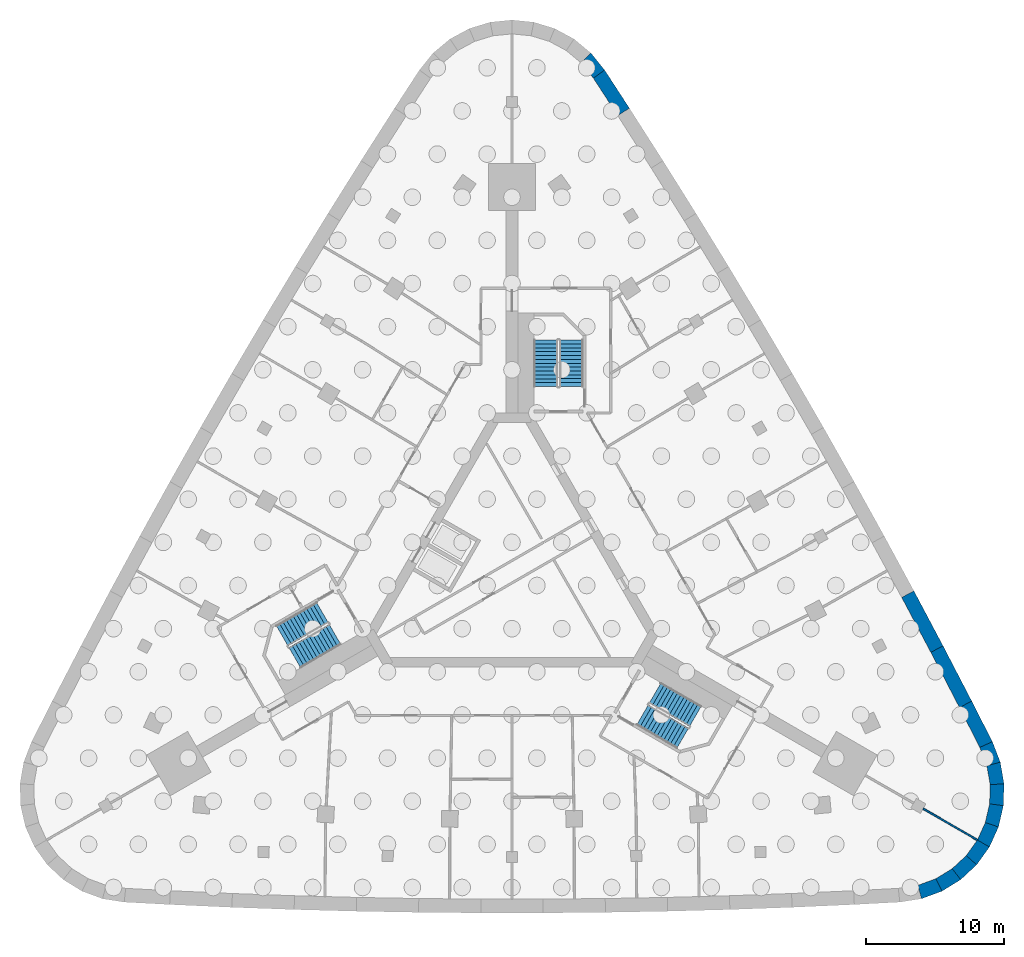
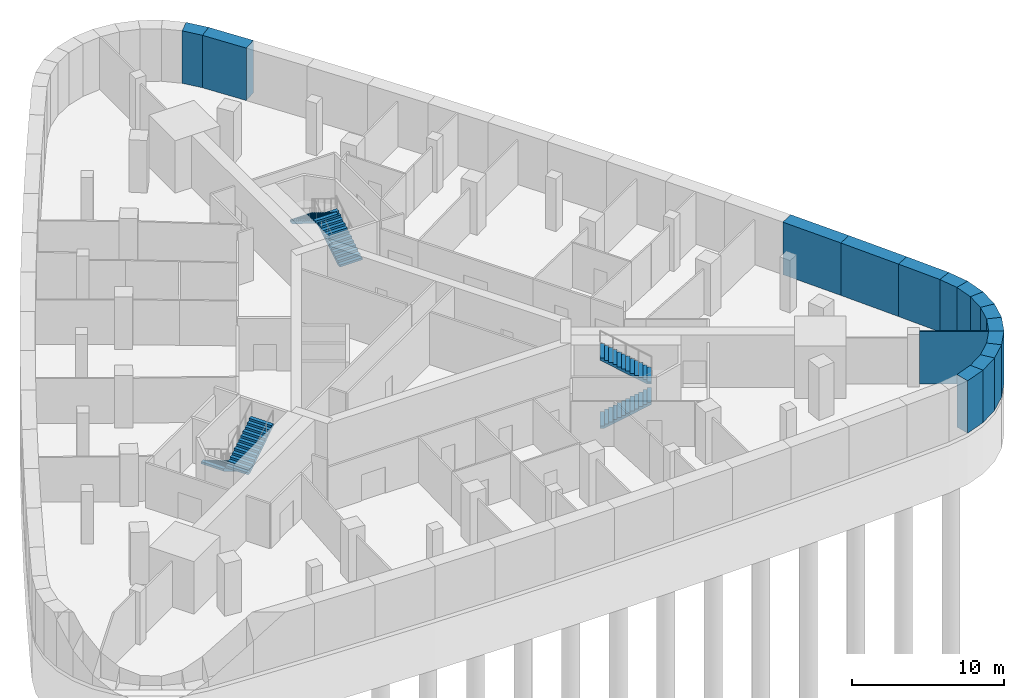
# One storey, part 7 of 9: 15 walls, 6 stair flights, 3 elements without a shape of their own.
"""IFC4 building model written with IfcOpenShell, lengths in metres."""

import ifcopenshell
import ifcopenshell.guid

model = None  # the IFC model being written
_history = None  # IfcOwnerHistory: only IFC2X3 demands one
_inside = {}  # id of a spatial element -> (the spatial element, [elements in it])
_under = {}  # id of a project, library or spatial element -> (it, [spatial elements below it])
_declared = {}  # id of a project -> (the project, [libraries it declares])
_typed = {}  # id of a type object -> (the type object, [elements of that type])
_made_of = {}  # id of a material, layer set ... -> (it, [elements and type objects made of it])


def new_model(schema):
    """Start an empty IFC model of exactly this schema.

    Asked for "IFC4X3", IfcOpenShell would pick the latest addendum, in which some entities
    have other attributes; the version numbers below select the first issue.
    IFC2X3 requires an IfcOwnerHistory on every rooted entity: one is made here for all.
    """
    global model, _history
    if schema == "IFC4X3":
        model = ifcopenshell.file(schema_version=(4, 3, 0, 0))
    else:
        model = ifcopenshell.file(schema=schema)
    _inside.clear()
    _under.clear()
    _declared.clear()
    _typed.clear()
    _made_of.clear()
    _history = None
    if model.schema == "IFC2X3":
        org = make("IfcOrganization", Name="unknown")
        user = make(
            "IfcPersonAndOrganization",
            ThePerson=make("IfcPerson", FamilyName="unknown"),
            TheOrganization=org,
        )
        app = make(
            "IfcApplication",
            ApplicationDeveloper=org,
            Version="unknown",
            ApplicationFullName="unknown",
            ApplicationIdentifier="unknown",
        )
        _history = make(
            "IfcOwnerHistory",
            OwningUser=user,
            OwningApplication=app,
            ChangeAction="ADDED",
            CreationDate=0,
        )
    return model


def make(cls, **values):
    """One entity of the class cls with the attributes given. An attribute that is None is left unset."""
    return model.create_entity(
        cls, **{name: value for name, value in values.items() if value is not None}
    )


def rooted(cls, **values):
    """An entity with a GlobalId (a new one), such as an element, a storey or a relation."""
    return make(cls, GlobalId=ifcopenshell.guid.new(), OwnerHistory=_history, **values)


def si_unit(unit_type, name, prefix=None):
    """IfcSIUnit, for example si_unit("LENGTHUNIT", "METRE", prefix="MILLI")."""
    return make("IfcSIUnit", UnitType=unit_type, Prefix=prefix, Name=name)


def assignment(units):
    """IfcUnitAssignment: the units of a project."""
    return None if units is None else make("IfcUnitAssignment", Units=units)


def point(xyz):
    """IfcCartesianPoint."""
    return None if xyz is None else make("IfcCartesianPoint", Coordinates=xyz)


def direction(xyz):
    """IfcDirection."""
    return None if xyz is None else make("IfcDirection", DirectionRatios=xyz)


def frame(location, z_axis=None, x_axis=None):
    """IfcAxis2Placement3D, a coordinate frame: its origin and axes. An axis left out is left unset."""
    return make(
        "IfcAxis2Placement3D",
        Location=point(location),
        Axis=direction(z_axis),
        RefDirection=direction(x_axis),
    )


def frame_2d(location, x_axis=None):
    """IfcAxis2Placement2D, a coordinate frame in the plane: its origin and x axis."""
    return make(
        "IfcAxis2Placement2D", Location=point(location), RefDirection=direction(x_axis)
    )


def origin():
    """The frame at (0, 0, 0) with its axes left unset."""
    return frame((0.0, 0.0, 0.0))


def place(relative_to, where):
    """IfcLocalPlacement: puts the frame where relative to a parent placement (None: the world)."""
    return make(
        "IfcLocalPlacement", PlacementRelTo=relative_to, RelativePlacement=where
    )


def context(
    kind, dimensions, precision=None, world=None, true_north=None, identifier=None
):
    """IfcGeometricRepresentationContext, for example the 3D "Model" context."""
    return make(
        "IfcGeometricRepresentationContext",
        ContextIdentifier=identifier,
        ContextType=kind,
        CoordinateSpaceDimension=dimensions,
        Precision=precision,
        WorldCoordinateSystem=world,
        TrueNorth=true_north,
    )


def subcontext(parent, identifier, kind, view, scale=None):
    """IfcGeometricRepresentationSubContext, for example "Body" below "Model"."""
    return make(
        "IfcGeometricRepresentationSubContext",
        ContextIdentifier=identifier,
        ContextType=kind,
        ParentContext=parent,
        TargetScale=scale,
        TargetView=view,
    )


def project(units=None, contexts=None):
    """IfcProject with its units and contexts."""
    return rooted(
        "IfcProject",
        Name="project",
        RepresentationContexts=contexts,
        UnitsInContext=assignment(units),
    )


def spatial(cls, under=None, at=None, **own):
    """A site, building, storey or space (cls), placed at a placement, below another one or the project."""
    s = rooted(cls, ObjectPlacement=at, **own)
    if under is not None:
        _under.setdefault(under.id(), (under, []))[1].append(s)
    return s


def polyline(points):
    """IfcPolyline through the points."""
    return make("IfcPolyline", Points=[point(p) for p in points])


def profile(cls, at=None, kind="AREA", **sizes):
    """A parametric profile (cls). Its sizes go by their IFC names, for example OverallWidth=200.0."""
    return make(cls, ProfileType=kind, Position=at, **sizes)


def rectangle(**sizes):
    """IfcRectangleProfileDef."""
    return profile("IfcRectangleProfileDef", **sizes)


def outline(outer, holes=None, kind="AREA"):
    """IfcArbitraryClosedProfileDef: a profile drawn as a closed curve; with holes, ...WithVoids."""
    if holes is None:
        return make("IfcArbitraryClosedProfileDef", ProfileType=kind, OuterCurve=outer)
    return make(
        "IfcArbitraryProfileDefWithVoids",
        ProfileType=kind,
        OuterCurve=outer,
        InnerCurves=holes,
    )


def extrude(swept, where, along, depth):
    """IfcExtrudedAreaSolid: the profile swept, set in the frame where, extruded along a direction by depth."""
    return make(
        "IfcExtrudedAreaSolid",
        SweptArea=swept,
        Position=where,
        ExtrudedDirection=direction(along),
        Depth=depth,
    )


def shape(context_of_items, identifier, shape_type, items):
    """IfcShapeRepresentation: the items that make up one representation, for example the "Body"."""
    return make(
        "IfcShapeRepresentation",
        ContextOfItems=context_of_items,
        RepresentationIdentifier=identifier,
        RepresentationType=shape_type,
        Items=items,
    )


def material(Name=None, Category=None):
    """IfcMaterial."""
    return make("IfcMaterial", Name=Name, Category=Category)


def layer(
    of_material, thickness, ventilated=None, Name=None, Category=None, Priority=None
):
    """IfcMaterialLayer: one layer of a wall or slab, of a material (None: an air gap)."""
    return make(
        "IfcMaterialLayer",
        Material=of_material,
        LayerThickness=thickness,
        IsVentilated=ventilated,
        Name=Name,
        Category=Category,
        Priority=Priority,
    )


def layer_set(layers, Name=None):
    """IfcMaterialLayerSet."""
    return make("IfcMaterialLayerSet", MaterialLayers=layers, LayerSetName=Name)


def made_of(thing, what):
    """Note that an element or type object is made of a material, layer set ...; save() writes the relation."""
    if what is not None:
        _made_of.setdefault(what.id(), (what, []))[1].append(thing)
    return thing


def type_object(cls, material=None, **own):
    """A type object (cls), such as IfcWallType, which elements share."""
    return made_of(rooted(cls, **own), material)


def element(
    cls,
    number,
    at=None,
    inside=None,
    cuts=None,
    type_object=None,
    material=None,
    context=None,
    identifier="Body",
    shape_type=None,
    held_by="IfcProductDefinitionShape",
    body=None,
    shapes=None,
    **own,
):
    """One element of the class cls, such as IfcWall. Its Tag is "e" and its number.

    at: its placement. inside: the storey or other place that contains it. cuts: it is an
    opening in that element (IfcRelVoidsElement). A single representation is given by context,
    identifier, shape_type and body (its items); several are given by shapes. held_by: the class
    of the entity that holds the representations. save() writes the other relations.
    """
    e = rooted(cls, Tag="e%d" % number, ObjectPlacement=at, **own)
    if body is not None:
        shapes = [shape(context, identifier, shape_type, body)]
    if shapes is not None:
        e.Representation = make(held_by, Representations=shapes)
    if inside is not None:
        _inside.setdefault(inside.id(), (inside, []))[1].append(e)
    if cuts is not None:
        rooted(
            "IfcRelVoidsElement", RelatingBuildingElement=cuts, RelatedOpeningElement=e
        )
    if type_object is not None:
        _typed.setdefault(type_object.id(), (type_object, []))[1].append(e)
    return made_of(e, material)


def aggregate(whole, parts):
    """IfcRelAggregates: a whole, such as a stair, and the parts it consists of."""
    return rooted("IfcRelAggregates", RelatingObject=whole, RelatedObjects=parts)


def save(model, path):
    """Write the relations noted so far, then the file.

    IfcRelAggregates (storeys below a building ...), IfcRelContainedInSpatialStructure (elements
    in a storey), IfcRelDefinesByType, IfcRelAssociatesMaterial and IfcRelDeclares: one each for
    every whole, place, type object, material and project.
    """
    for whole, parts in _under.values():
        aggregate(whole, parts)
    for where, things in _inside.values():
        rooted(
            "IfcRelContainedInSpatialStructure",
            RelatedElements=things,
            RelatingStructure=where,
        )
    for kind, things in _typed.values():
        rooted("IfcRelDefinesByType", RelatedObjects=things, RelatingType=kind)
    for what, things in _made_of.values():
        rooted("IfcRelAssociatesMaterial", RelatedObjects=things, RelatingMaterial=what)
    for by, libraries in _declared.values():
        rooted("IfcRelDeclares", RelatingContext=by, RelatedDefinitions=libraries)
    model.write(path)


model = new_model("IFC4")

# Units and contexts
model_context = context("Model", 3, precision=1e-05, world=origin(), true_north=direction((0.0, 1.0)))
body_context = subcontext(model_context, "Body", "Model", "MODEL_VIEW")
ifc_project = project(units=[si_unit("LENGTHUNIT", "METRE"), si_unit("AREAUNIT", "SQUARE_METRE"), si_unit("VOLUMEUNIT", "CUBIC_METRE"), si_unit("PLANEANGLEUNIT", "RADIAN"), si_unit("MASSUNIT", "GRAM", prefix="KILO")], contexts=[model_context])

# Site, building, storey
site_placement = place(None, origin())
site = spatial("IfcSite", under=ifc_project, at=site_placement, CompositionType="ELEMENT")
building_placement = place(site_placement, origin())
building = spatial("IfcBuilding", under=site, at=building_placement, Name="Noor Cloister Tower", CompositionType="ELEMENT")
storey_placement = place(building_placement, frame((0.0, 0.0, -9.0)))
storey = spatial("IfcBuildingStorey", under=building, at=storey_placement, Name="B2", CompositionType="ELEMENT", Elevation=-9.0)

# Walls
ifc_material_1 = material(Name="Concrete C50/60", Category="concrete")
ifc_layer_1 = layer(ifc_material_1, 1.0)
ifc_layer_set_1 = layer_set([ifc_layer_1], Name="Diaphragm wall 1000")
wall_type_1 = type_object("IfcWallType", Name="Diaphragm wall 1000", PredefinedType="SOLIDWALL", material=ifc_layer_set_1)
wall_1_placement = place(storey_placement, origin())
element("IfcWall", 1, at=wall_1_placement, inside=storey, type_object=wall_type_1, Name="Basement wall 01", PredefinedType="SOLIDWALL", context=body_context, shape_type="SweptSolid", body=[
    extrude(outline(polyline([(6.693603515625, 36.22509765625), (5.699462890625, 37.45751953125), (4.983642578125, 36.752197265625), (5.883056640625, 35.63720703125), (6.693603515625, 36.22509765625)])), origin(), (0.0, 0.0, 1.0), 4.199951171875),
])
wall_2_placement = place(storey_placement, origin())
element("IfcWall", 2, at=wall_2_placement, inside=storey, type_object=wall_type_1, Name="Basement wall 48", PredefinedType="SOLIDWALL", context=body_context, shape_type="SweptSolid", body=[
    extrude(outline(polyline([(29.58935546875, -23.66455078125), (31.074951171875, -23.11669921875), (30.635498046875, -22.212890625), (29.336669921875, -22.69189453125), (29.58935546875, -23.66455078125)])), origin(), (0.0, 0.0, 1.0), 4.199951171875),
])
wall_3_placement = place(storey_placement, origin())
element("IfcWall", 3, at=wall_3_placement, inside=storey, type_object=wall_type_1, Name="Basement wall 49", PredefinedType="SOLIDWALL", context=body_context, shape_type="SweptSolid", body=[
    extrude(outline(polyline([(31.074951171875, -23.11669921875), (32.42333984375, -22.287109375), (31.814697265625, -21.4873046875), (30.635498046875, -22.212890625), (31.074951171875, -23.11669921875)])), origin(), (0.0, 0.0, 1.0), 4.199951171875),
])
wall_4_placement = place(storey_placement, origin())
element("IfcWall", 4, at=wall_4_placement, inside=storey, type_object=wall_type_1, Name="Basement wall 50", PredefinedType="SOLIDWALL", context=body_context, shape_type="SweptSolid", body=[
    extrude(outline(polyline([(32.42333984375, -22.287109375), (33.58203125, -21.2080078125), (32.827880859375, -20.5439453125), (31.814697265625, -21.4873046875), (32.42333984375, -22.287109375)])), origin(), (0.0, 0.0, 1.0), 4.199951171875),
])
wall_5_placement = place(storey_placement, origin())
element("IfcWall", 5, at=wall_5_placement, inside=storey, type_object=wall_type_1, Name="Basement wall 51", PredefinedType="SOLIDWALL", context=body_context, shape_type="SweptSolid", body=[
    extrude(outline(polyline([(33.58203125, -21.2080078125), (34.505615234375, -19.921875), (33.63525390625, -19.41943359375), (32.827880859375, -20.5439453125), (33.58203125, -21.2080078125)])), origin(), (0.0, 0.0, 1.0), 4.199951171875),
])
wall_6_placement = place(storey_placement, origin())
element("IfcWall", 6, at=wall_6_placement, inside=storey, type_object=wall_type_1, Name="Basement wall 52", PredefinedType="SOLIDWALL", context=body_context, shape_type="SweptSolid", body=[
    extrude(outline(polyline([(34.505615234375, -19.921875), (35.15771484375, -18.47900390625), (34.205322265625, -18.15771484375), (33.63525390625, -19.41943359375), (34.505615234375, -19.921875)])), origin(), (0.0, 0.0, 1.0), 4.199951171875),
])
wall_7_placement = place(storey_placement, origin())
element("IfcWall", 7, at=wall_7_placement, inside=storey, type_object=wall_type_1, Name="Basement wall 53", PredefinedType="SOLIDWALL", context=body_context, shape_type="SweptSolid", body=[
    extrude(outline(polyline([(35.15771484375, -18.47900390625), (35.5126953125, -16.93603515625), (34.515869140625, -16.80859375), (34.205322265625, -18.15771484375), (35.15771484375, -18.47900390625)])), origin(), (0.0, 0.0, 1.0), 4.199951171875),
])
wall_8_placement = place(storey_placement, origin())
element("IfcWall", 8, at=wall_8_placement, inside=storey, type_object=wall_type_1, Name="Basement wall 54", PredefinedType="SOLIDWALL", context=body_context, shape_type="SweptSolid", body=[
    extrude(outline(polyline([(35.5126953125, -16.93603515625), (35.55712890625, -15.353271484375), (34.5546875, -15.424560546875), (34.515869140625, -16.80859375), (35.5126953125, -16.93603515625)])), origin(), (0.0, 0.0, 1.0), 4.199951171875),
])
wall_9_placement = place(storey_placement, origin())
element("IfcWall", 9, at=wall_9_placement, inside=storey, type_object=wall_type_1, Name="Basement wall 55", PredefinedType="SOLIDWALL", context=body_context, shape_type="SweptSolid", body=[
    extrude(outline(polyline([(35.55712890625, -15.353271484375), (35.288818359375, -13.792724609375), (34.320068359375, -14.060302734375), (34.5546875, -15.424560546875), (35.55712890625, -15.353271484375)])), origin(), (0.0, 0.0, 1.0), 4.199951171875),
])
wall_10_placement = place(storey_placement, origin())
element("IfcWall", 10, at=wall_10_placement, inside=storey, type_object=wall_type_1, Name="Basement wall 56", PredefinedType="SOLIDWALL", context=body_context, shape_type="SweptSolid", body=[
    extrude(outline(polyline([(35.288818359375, -13.792724609375), (34.718505859375, -12.315673828125), (33.80419921875, -12.723876953125), (34.320068359375, -14.060302734375), (35.288818359375, -13.792724609375)])), origin(), (0.0, 0.0, 1.0), 4.199951171875),
])
wall_11_placement = place(storey_placement, origin())
element("IfcWall", 11, at=wall_11_placement, inside=storey, type_object=wall_type_1, Name="Basement wall 57", PredefinedType="SOLIDWALL", context=body_context, shape_type="SweptSolid", body=[
    extrude(outline(polyline([(34.718505859375, -12.315673828125), (33.22607421875, -9.384033203125), (32.336669921875, -9.84130859375), (33.80419921875, -12.723876953125), (34.718505859375, -12.315673828125)])), origin(), (0.0, 0.0, 1.0), 4.199951171875),
])
wall_12_placement = place(storey_placement, origin())
element("IfcWall", 12, at=wall_12_placement, inside=storey, type_object=wall_type_1, Name="Basement wall 58", PredefinedType="SOLIDWALL", context=body_context, shape_type="SweptSolid", body=[
    extrude(outline(polyline([(33.22607421875, -9.384033203125), (31.1533203125, -5.389892578125), (30.267822265625, -5.8544921875), (32.336669921875, -9.84130859375), (33.22607421875, -9.384033203125)])), origin(), (0.0, 0.0, 1.0), 4.199951171875),
])
wall_13_placement = place(storey_placement, origin())
element("IfcWall", 13, at=wall_13_placement, inside=storey, type_object=wall_type_1, Name="Basement wall 59", PredefinedType="SOLIDWALL", context=body_context, shape_type="SweptSolid", body=[
    extrude(outline(polyline([(31.1533203125, -5.389892578125), (29.044921875, -1.41455078125), (28.16357421875, -1.886962890625), (30.267822265625, -5.8544921875), (31.1533203125, -5.389892578125)])), origin(), (0.0, 0.0, 1.0), 4.199951171875),
])
wall_14_placement = place(storey_placement, origin())
element("IfcWall", 14, at=wall_14_placement, inside=storey, type_object=wall_type_1, Name="Basement wall 69", PredefinedType="SOLIDWALL", context=body_context, shape_type="SweptSolid", body=[
    extrude(outline(polyline([(8.486083984375, 33.466796875), (6.693603515625, 36.22509765625), (5.883056640625, 35.63720703125), (7.6455078125, 32.925048828125), (8.486083984375, 33.466796875)])), origin(), (0.0, 0.0, 1.0), 4.199951171875),
])
ifc_material_2 = material(Name="Plasterboard on steel studs", Category="steel")
ifc_layer_2 = layer(ifc_material_2, 0.1201171875)
ifc_layer_set_2 = layer_set([ifc_layer_2], Name="Partition wall 120")
wall_type_2 = type_object("IfcWallType", Name="Partition wall 120", PredefinedType="PARTITIONING", material=ifc_layer_set_2)
wall_15_placement = place(storey_placement, frame((33.634033203125, -19.4189453125, 0.0), z_axis=(0.0, 0.0, 1.0), x_axis=(-0.866032814021, 0.499987164874, 0.0)))
element("IfcWall", 15, at=wall_15_placement, inside=storey, type_object=wall_type_2, Name="Partition", PredefinedType="PARTITIONING", context=body_context, shape_type="SweptSolid", body=[
    extrude(rectangle(XDim=4.52392578125, YDim=0.1201171875, at=frame_2d((2.261962890625, 0.0))), origin(), (0.0, 0.0, 1.0), 4.199951171875),
])

# Stair, stair flights
ifc_material_3 = material(Name="Concrete C40/50", Category="concrete")
stair_type = type_object("IfcStairType", Name="Exit stair 26 risers", PredefinedType="HALF_TURN_STAIR", material=ifc_material_3)
stair_1_placement = place(storey_placement, origin())
stair_1 = element("IfcStair", 16, at=stair_1_placement, inside=storey, type_object=stair_type, Name="Exit stair ST1 B2", PredefinedType="HALF_TURN_STAIR")
ifc_material_4 = material(Name="Concrete C40/50", Category="concrete")
stair_flight_type = type_object("IfcStairFlightType", Name="Exit stair flight", PredefinedType="STRAIGHT", material=ifc_material_4)
stair_flight_1_placement = place(storey_placement, frame((4.28564453125, 13.3564453125, 0.0), z_axis=(0.0, 0.0, 1.0), x_axis=(0.0, 1.0, 0.0)))
stair_flight_1 = element("IfcStairFlight", 17, at=stair_flight_1_placement, type_object=stair_flight_type, Name="ST1 flight 1", NumberOfRisers=13, NumberOfTreads=12, PredefinedType="STRAIGHT", RiserHeight=0.173076923, TreadLength=0.28, context=body_context, shape_type="SweptSolid", body=[
    extrude(outline(polyline([(0.0, 0.0), (0.0, 0.173095703125), (0.280029296875, 0.173095703125), (0.280029296875, 0.34619140625), (0.56005859375, 0.34619140625), (0.56005859375, 0.519287109375), (0.840087890625, 0.519287109375), (0.840087890625, 0.6923828125), (1.1201171875, 0.6923828125), (1.1201171875, 0.865478515625), (1.39990234375, 0.865478515625), (1.39990234375, 1.03857421875), (1.679931640625, 1.03857421875), (1.679931640625, 1.21142578125), (1.9599609375, 1.21142578125), (1.9599609375, 1.384521484375), (2.239990234375, 1.384521484375), (2.239990234375, 1.5576171875), (2.52001953125, 1.5576171875), (2.52001953125, 1.730712890625), (2.800048828125, 1.730712890625), (2.800048828125, 1.90380859375), (3.080078125, 1.90380859375), (3.080078125, 2.076904296875), (3.360107421875, 2.076904296875), (3.360107421875, 2.25), (3.360107421875, 1.900634765625), (0.28515625, 0.0), (0.0, 0.0)])), frame((0.0, 0.85009765625, 0.0), z_axis=(0.0, -1.0, 0.0), x_axis=(1.0, 0.0, 0.0)), (0.0, 0.0, 1.0), 1.699951171875),
])
stair_flight_2_placement = place(storey_placement, frame((2.435546875, 16.71630859375, 2.25), z_axis=(0.0, 0.0, 1.0), x_axis=(0.0, -1.0, 0.0)))
stair_flight_2 = element("IfcStairFlight", 18, at=stair_flight_2_placement, type_object=stair_flight_type, Name="ST1 flight 2", NumberOfRisers=13, NumberOfTreads=12, PredefinedType="STRAIGHT", RiserHeight=0.173076923, TreadLength=0.28, context=body_context, shape_type="SweptSolid", body=[
    extrude(outline(polyline([(0.0, 0.0), (0.0, 0.173095703125), (0.280029296875, 0.173095703125), (0.280029296875, 0.34619140625), (0.56005859375, 0.34619140625), (0.56005859375, 0.519287109375), (0.840087890625, 0.519287109375), (0.840087890625, 0.6923828125), (1.1201171875, 0.6923828125), (1.1201171875, 0.865478515625), (1.39990234375, 0.865478515625), (1.39990234375, 1.03857421875), (1.679931640625, 1.03857421875), (1.679931640625, 1.21142578125), (1.9599609375, 1.21142578125), (1.9599609375, 1.384521484375), (2.239990234375, 1.384521484375), (2.239990234375, 1.5576171875), (2.52001953125, 1.5576171875), (2.52001953125, 1.730712890625), (2.800048828125, 1.730712890625), (2.800048828125, 1.90380859375), (3.080078125, 1.90380859375), (3.080078125, 2.076904296875), (3.360107421875, 2.076904296875), (3.360107421875, 2.25), (3.360107421875, 1.900634765625), (0.28515625, 0.0), (0.0, 0.0)])), frame((0.0, 0.85009765625, 0.0), z_axis=(0.0, -1.0, 0.0), x_axis=(1.0, 0.0, 0.0)), (0.0, 0.0, 1.0), 1.699951171875),
])
aggregate(stair_1, [stair_flight_1, stair_flight_2])

stair_2_placement = place(storey_placement, origin())
stair_2 = element("IfcStair", 19, at=stair_2_placement, inside=storey, type_object=stair_type, Name="Exit stair ST2 B2", PredefinedType="HALF_TURN_STAIR")
stair_flight_3_placement = place(storey_placement, frame((-13.709716796875, -2.966796875, 0.0), z_axis=(0.0, 0.0, 1.0), x_axis=(-0.866025403784, -0.5, 0.0)))
stair_flight_3 = element("IfcStairFlight", 20, at=stair_flight_3_placement, type_object=stair_flight_type, Name="ST2 flight 1", NumberOfRisers=13, NumberOfTreads=12, PredefinedType="STRAIGHT", RiserHeight=0.173076923, TreadLength=0.28, context=body_context, shape_type="SweptSolid", body=[
    extrude(outline(polyline([(0.0, 0.0), (0.0, 0.173095703125), (0.280029296875, 0.173095703125), (0.280029296875, 0.34619140625), (0.56005859375, 0.34619140625), (0.56005859375, 0.519287109375), (0.840087890625, 0.519287109375), (0.840087890625, 0.6923828125), (1.1201171875, 0.6923828125), (1.1201171875, 0.865478515625), (1.39990234375, 0.865478515625), (1.39990234375, 1.03857421875), (1.679931640625, 1.03857421875), (1.679931640625, 1.21142578125), (1.9599609375, 1.21142578125), (1.9599609375, 1.384521484375), (2.239990234375, 1.384521484375), (2.239990234375, 1.5576171875), (2.52001953125, 1.5576171875), (2.52001953125, 1.730712890625), (2.800048828125, 1.730712890625), (2.800048828125, 1.90380859375), (3.080078125, 1.90380859375), (3.080078125, 2.076904296875), (3.360107421875, 2.076904296875), (3.360107421875, 2.25), (3.360107421875, 1.900634765625), (0.28515625, 0.0), (0.0, 0.0)])), frame((0.0, 0.85009765625, 0.0), z_axis=(0.0, -1.0, 0.0), x_axis=(1.0, 0.0, 0.0)), (0.0, 0.0, 1.0), 1.699951171875),
])
stair_flight_4_placement = place(storey_placement, frame((-15.694580078125, -6.248779296875, 2.25), z_axis=(0.0, 0.0, 1.0), x_axis=(0.866025403784, 0.5, 0.0)))
stair_flight_4 = element("IfcStairFlight", 21, at=stair_flight_4_placement, type_object=stair_flight_type, Name="ST2 flight 2", NumberOfRisers=13, NumberOfTreads=12, PredefinedType="STRAIGHT", RiserHeight=0.173076923, TreadLength=0.28, context=body_context, shape_type="SweptSolid", body=[
    extrude(outline(polyline([(0.0, 0.0), (0.0, 0.173095703125), (0.280029296875, 0.173095703125), (0.280029296875, 0.34619140625), (0.56005859375, 0.34619140625), (0.56005859375, 0.519287109375), (0.840087890625, 0.519287109375), (0.840087890625, 0.6923828125), (1.1201171875, 0.6923828125), (1.1201171875, 0.865478515625), (1.39990234375, 0.865478515625), (1.39990234375, 1.03857421875), (1.679931640625, 1.03857421875), (1.679931640625, 1.21142578125), (1.9599609375, 1.21142578125), (1.9599609375, 1.384521484375), (2.239990234375, 1.384521484375), (2.239990234375, 1.5576171875), (2.52001953125, 1.5576171875), (2.52001953125, 1.730712890625), (2.800048828125, 1.730712890625), (2.800048828125, 1.90380859375), (3.080078125, 1.90380859375), (3.080078125, 2.076904296875), (3.360107421875, 2.076904296875), (3.360107421875, 2.25), (3.360107421875, 1.900634765625), (0.28515625, 0.0), (0.0, 0.0)])), frame((0.0, 0.85009765625, 0.0), z_axis=(0.0, -1.0, 0.0), x_axis=(1.0, 0.0, 0.0)), (0.0, 0.0, 1.0), 1.699951171875),
])
aggregate(stair_2, [stair_flight_3, stair_flight_4])

stair_3_placement = place(storey_placement, origin())
stair_3 = element("IfcStair", 22, at=stair_3_placement, inside=storey, type_object=stair_type, Name="Exit stair ST3 B2", PredefinedType="HALF_TURN_STAIR")
stair_flight_5_placement = place(storey_placement, frame((9.424072265625, -10.3896484375, 0.0), z_axis=(0.0, 0.0, 1.0), x_axis=(0.866025403784, -0.5, 0.0)))
stair_flight_5 = element("IfcStairFlight", 23, at=stair_flight_5_placement, type_object=stair_flight_type, Name="ST3 flight 1", NumberOfRisers=13, NumberOfTreads=12, PredefinedType="STRAIGHT", RiserHeight=0.173076923, TreadLength=0.28, context=body_context, shape_type="SweptSolid", body=[
    extrude(outline(polyline([(0.0, 0.0), (0.0, 0.173095703125), (0.280029296875, 0.173095703125), (0.280029296875, 0.34619140625), (0.56005859375, 0.34619140625), (0.56005859375, 0.519287109375), (0.840087890625, 0.519287109375), (0.840087890625, 0.6923828125), (1.1201171875, 0.6923828125), (1.1201171875, 0.865478515625), (1.39990234375, 0.865478515625), (1.39990234375, 1.03857421875), (1.679931640625, 1.03857421875), (1.679931640625, 1.21142578125), (1.9599609375, 1.21142578125), (1.9599609375, 1.384521484375), (2.239990234375, 1.384521484375), (2.239990234375, 1.5576171875), (2.52001953125, 1.5576171875), (2.52001953125, 1.730712890625), (2.800048828125, 1.730712890625), (2.800048828125, 1.90380859375), (3.080078125, 1.90380859375), (3.080078125, 2.076904296875), (3.360107421875, 2.076904296875), (3.360107421875, 2.25), (3.360107421875, 1.900634765625), (0.28515625, 0.0), (0.0, 0.0)])), frame((0.0, 0.85009765625, 0.0), z_axis=(0.0, -1.0, 0.0), x_axis=(1.0, 0.0, 0.0)), (0.0, 0.0, 1.0), 1.699951171875),
])
stair_flight_6_placement = place(storey_placement, frame((13.259033203125, -10.467529296875, 2.25), z_axis=(0.0, 0.0, 1.0), x_axis=(-0.866025403784, 0.5, 0.0)))
stair_flight_6 = element("IfcStairFlight", 24, at=stair_flight_6_placement, type_object=stair_flight_type, Name="ST3 flight 2", NumberOfRisers=13, NumberOfTreads=12, PredefinedType="STRAIGHT", RiserHeight=0.173076923, TreadLength=0.28, context=body_context, shape_type="SweptSolid", body=[
    extrude(outline(polyline([(0.0, 0.0), (0.0, 0.173095703125), (0.280029296875, 0.173095703125), (0.280029296875, 0.34619140625), (0.56005859375, 0.34619140625), (0.56005859375, 0.519287109375), (0.840087890625, 0.519287109375), (0.840087890625, 0.6923828125), (1.1201171875, 0.6923828125), (1.1201171875, 0.865478515625), (1.39990234375, 0.865478515625), (1.39990234375, 1.03857421875), (1.679931640625, 1.03857421875), (1.679931640625, 1.21142578125), (1.9599609375, 1.21142578125), (1.9599609375, 1.384521484375), (2.239990234375, 1.384521484375), (2.239990234375, 1.5576171875), (2.52001953125, 1.5576171875), (2.52001953125, 1.730712890625), (2.800048828125, 1.730712890625), (2.800048828125, 1.90380859375), (3.080078125, 1.90380859375), (3.080078125, 2.076904296875), (3.360107421875, 2.076904296875), (3.360107421875, 2.25), (3.360107421875, 1.900634765625), (0.28515625, 0.0), (0.0, 0.0)])), frame((0.0, 0.85009765625, 0.0), z_axis=(0.0, -1.0, 0.0), x_axis=(1.0, 0.0, 0.0)), (0.0, 0.0, 1.0), 1.699951171875),
])
aggregate(stair_3, [stair_flight_5, stair_flight_6])

save(model, "model.ifc")
